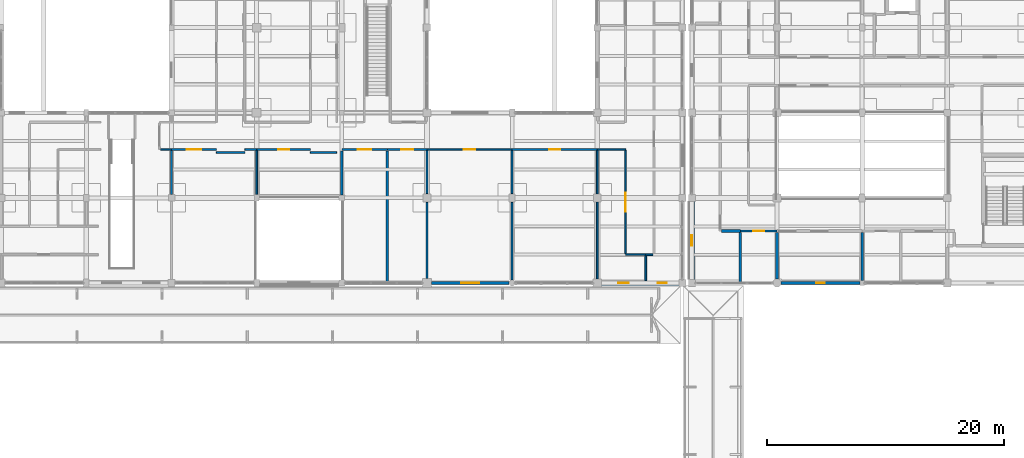
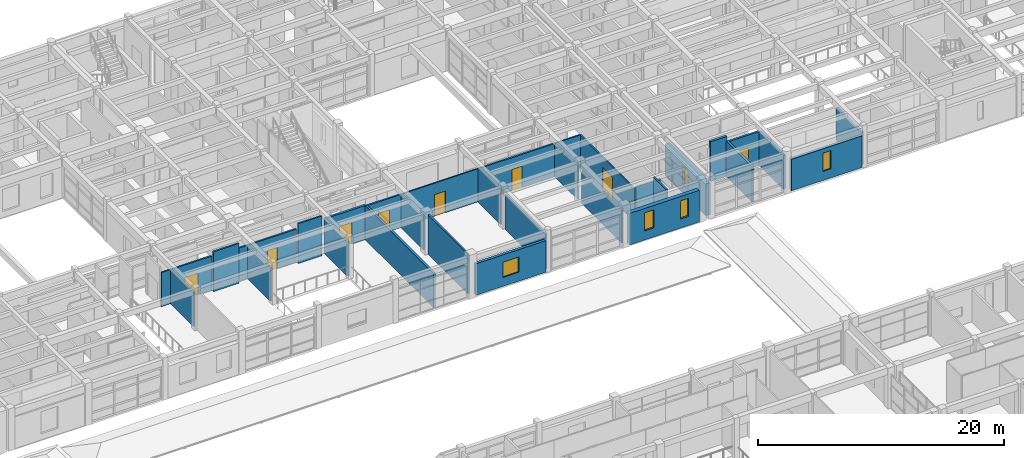
# One storey, part 81 of 110: 34 walls, 8 doors, 5 windows, 13 openings.
"""IFC4 building model written with IfcOpenShell, lengths in metres."""

from ifc_helpers import new_model, si_unit, direction, frame, frame_2d, origin, place, context, subcontext, project, spatial, rectangle, extrude, material, layer, layer_set, type_object, element, fill, save


model = new_model("IFC4")

# Units and contexts
model_context = context("Model", 3, precision=1e-05, world=origin(), true_north=direction((0.0, 1.0)))
body_context = subcontext(model_context, "Body", "Model", "MODEL_VIEW")
ifc_project = project(units=[si_unit("LENGTHUNIT", "METRE"), si_unit("AREAUNIT", "SQUARE_METRE"), si_unit("VOLUMEUNIT", "CUBIC_METRE"), si_unit("PLANEANGLEUNIT", "RADIAN"), si_unit("MASSUNIT", "GRAM", prefix="KILO")], contexts=[model_context])

# Site, building, storey
site_placement = place(None, origin())
site = spatial("IfcSite", under=ifc_project, at=site_placement, CompositionType="ELEMENT")
building_placement = place(site_placement, origin())
building = spatial("IfcBuilding", under=site, at=building_placement, Name="Steenspoor Specialist Clinic", CompositionType="ELEMENT")
storey_placement = place(building_placement, frame((0.0, 0.0, 4.800048828125)))
storey = spatial("IfcBuildingStorey", under=building, at=storey_placement, Name="L01", CompositionType="ELEMENT", Elevation=4.800048828125)

# Wall, openings, windows
ifc_material_1 = material(Name="Extruded clay brick masonry", Category="masonry")
ifc_layer_1 = layer(ifc_material_1, 0.3798828125)
ifc_layer_set_1 = layer_set([ifc_layer_1], Name="Extruded clay brick masonry")
wall_type_1 = type_object("IfcWallType", Name="W-BRICK-380", PredefinedType="USERDEFINED", material=ifc_layer_set_1)
wall_1_placement = place(storey_placement, frame((116.89990234375, 65.14990234375, 0.0), z_axis=(0.0, 0.0, 1.0), x_axis=(-1.0, 0.0, 0.0)))
wall_1 = element("IfcWall", 1, at=wall_1_placement, inside=storey, type_object=wall_type_1, Name="Exterior Brick Wall EW-V4-L01-0109", ObjectType="CAVITY VENEER", PredefinedType="USERDEFINED", context=body_context, shape_type="SweptSolid", body=[
    extrude(rectangle(XDim=6.5498046875, YDim=0.3798828125, at=frame_2d((3.27490234375, 0.0))), origin(), (0.0, 0.0, 1.0), 3.1298828125),
])
opening_1_placement = place(wall_1_placement, frame((1.014892578125, 0.0, 0.89990234375)))
opening_1 = element("IfcOpeningElement", 2, at=opening_1_placement, cuts=wall_1, Name="Opening WN-02", PredefinedType="OPENING", context=body_context, shape_type="SweptSolid", body=[
    extrude(rectangle(XDim=0.75, YDim=1.800048828125, at=frame_2d((0.375, 0.89990234375))), frame((0.0, 0.199951171875, 0.0), z_axis=(0.0, -1.0, 0.0), x_axis=(1.0, 0.0, 0.0)), (0.0, 0.0, 1.0), 0.39990234375),
])
opening_2_placement = place(wall_1_placement, frame((4.235107421875, 0.0, 0.89990234375)))
opening_2 = element("IfcOpeningElement", 3, at=opening_2_placement, cuts=wall_1, Name="Opening WN-03", PredefinedType="OPENING", context=body_context, shape_type="SweptSolid", body=[
    extrude(rectangle(XDim=0.89990234375, YDim=1.800048828125, at=frame_2d((0.449951171875, 0.89990234375))), frame((0.0, 0.199951171875, 0.0), z_axis=(0.0, -1.0, 0.0), x_axis=(1.0, 0.0, 0.0)), (0.0, 0.0, 1.0), 0.39990234375),
])
ifc_material_2 = material(Name="Thermally broken aluminium and low-emissivity glass", Category="aluminium")
window_type_1 = type_object("IfcWindowType", Name="WN-EXT-075X180", PartitioningType="SINGLE_PANEL", PredefinedType="WINDOW", material=ifc_material_2)
window_1_placement = place(opening_1_placement, origin())
window_1 = element("IfcWindow", 4, at=window_1_placement, inside=storey, type_object=window_type_1, Name="Window 0129", OverallHeight=1.800048828125, OverallWidth=0.75, PartitioningType="SINGLE_PANEL", PredefinedType="WINDOW", context=body_context, shape_type="SweptSolid", body=[
    extrude(rectangle(XDim=0.75, YDim=1.800048828125, at=frame_2d((0.375, 0.89990234375))), frame((0.0, 0.030029296875, 0.0), z_axis=(0.0, -1.0, 0.0), x_axis=(1.0, 0.0, 0.0)), (0.0, 0.0, 1.0), 0.06005859375),
])
fill(opening_1, window_1)
window_type_2 = type_object("IfcWindowType", Name="WN-EXT-090X180", PartitioningType="SINGLE_PANEL", PredefinedType="WINDOW", material=ifc_material_2)
window_2_placement = place(opening_2_placement, origin())
window_2 = element("IfcWindow", 5, at=window_2_placement, inside=storey, type_object=window_type_2, Name="Window 0130", OverallHeight=1.800048828125, OverallWidth=0.89990234375, PartitioningType="SINGLE_PANEL", PredefinedType="WINDOW", context=body_context, shape_type="SweptSolid", body=[
    extrude(rectangle(XDim=0.89990234375, YDim=1.800048828125, at=frame_2d((0.449951171875, 0.89990234375))), frame((0.0, 0.030029296875, 0.0), z_axis=(0.0, -1.0, 0.0), x_axis=(1.0, 0.0, 0.0)), (0.0, 0.0, 1.0), 0.06005859375),
])
fill(opening_2, window_2)

# Wall, opening, window
ifc_layer_2 = layer(ifc_material_1, 0.43994140625)
ifc_layer_set_2 = layer_set([ifc_layer_2], Name="Extruded clay brick masonry")
wall_type_2 = type_object("IfcWallType", Name="W-BRICK-440", PredefinedType="USERDEFINED", material=ifc_layer_set_2)
wall_2_placement = place(storey_placement, frame((118.0, 65.449951171875, 0.0), z_axis=(0.0, 0.0, 1.0), x_axis=(0.0, 1.0, 0.0)))
wall_2 = element("IfcWall", 6, at=wall_2_placement, inside=storey, type_object=wall_type_2, Name="Exterior Brick Wall EW-V6-L01-0315", ObjectType="CAVITY VENEER", PredefinedType="USERDEFINED", context=body_context, shape_type="SweptSolid", body=[
    extrude(rectangle(XDim=6.60009765625, YDim=0.43994140625, at=frame_2d((3.300048828125, 0.0))), origin(), (0.0, 0.0, 1.0), 3.1298828125),
])
opening_3_placement = place(wall_2_placement, frame((2.85009765625, 0.0, 0.89990234375)))
opening_3 = element("IfcOpeningElement", 7, at=opening_3_placement, cuts=wall_2, Name="Opening WN-03", PredefinedType="OPENING", context=body_context, shape_type="SweptSolid", body=[
    extrude(rectangle(XDim=0.89990234375, YDim=1.800048828125, at=frame_2d((0.449951171875, 0.89990234375))), frame((0.0, 0.22998046875, 0.0), z_axis=(0.0, -1.0, 0.0), x_axis=(1.0, 0.0, 0.0)), (0.0, 0.0, 1.0), 0.4599609375),
])
window_3_placement = place(opening_3_placement, origin())
window_3 = element("IfcWindow", 8, at=window_3_placement, inside=storey, type_object=window_type_2, Name="Window 0338", OverallHeight=1.800048828125, OverallWidth=0.89990234375, PartitioningType="SINGLE_PANEL", PredefinedType="WINDOW", context=body_context, shape_type="SweptSolid", body=[
    extrude(rectangle(XDim=0.89990234375, YDim=1.800048828125, at=frame_2d((0.449951171875, 0.89990234375))), frame((0.0, 0.030029296875, 0.0), z_axis=(0.0, -1.0, 0.0), x_axis=(1.0, 0.0, 0.0)), (0.0, 0.0, 1.0), 0.06005859375),
])
fill(opening_3, window_3)

# Wall, opening, door
ifc_material_3 = material(Name="Gypsum acoustic clinical partition", Category="gypsum")
ifc_layer_3 = layer(ifc_material_3, 0.14990234375)
ifc_layer_set_3 = layer_set([ifc_layer_3], Name="Gypsum acoustic clinical partition")
wall_type_3 = type_object("IfcWallType", Name="W-CLIN-150", PredefinedType="PARTITIONING", material=ifc_layer_set_3)
wall_3_placement = place(storey_placement, frame((74.0, 76.449951171875, 0.0), z_axis=(0.0, 0.0, 1.0), x_axis=(1.0, 0.0, 0.0)))
wall_3 = element("IfcWall", 9, at=wall_3_placement, inside=storey, type_object=wall_type_3, Name="Interior Partition IW-V4-L01-0883", PredefinedType="PARTITIONING", context=body_context, shape_type="SweptSolid", body=[
    extrude(rectangle(XDim=3.800048828125, YDim=0.14990234375, at=frame_2d((1.89990234375, 0.0))), origin(), (0.0, 0.0, 1.0), 3.385009765625),
])
opening_4_placement = place(wall_3_placement, frame((1.27490234375, 0.0, 0.0)))
opening_4 = element("IfcOpeningElement", 10, at=opening_4_placement, cuts=wall_3, Name="Opening D0194", PredefinedType="OPENING", context=body_context, shape_type="SweptSolid", body=[
    extrude(rectangle(XDim=1.25, YDim=2.14990234375, at=frame_2d((0.625, 1.074951171875))), frame((0.0, 0.0849609375, 0.0), z_axis=(0.0, -1.0, 0.0), x_axis=(1.0, 0.0, 0.0)), (0.0, 0.0, 1.0), 0.169921875),
])
ifc_material_4 = material(Name="Hygienic HPL clinical timber door", Category="wood")
door_type_1 = type_object("IfcDoorType", Name="DT-EXAM-125X215", OperationType="NOTDEFINED", PredefinedType="DOOR", material=ifc_material_4)
door_1_placement = place(opening_4_placement, origin())
door_1 = element("IfcDoor", 11, at=door_1_placement, inside=storey, type_object=door_type_1, Name="Clinical Door D0194", OperationType="SINGLE_SWING_LEFT", OverallHeight=2.14990234375, OverallWidth=1.25, PredefinedType="DOOR", context=body_context, shape_type="SweptSolid", body=[
    extrude(rectangle(XDim=1.25, YDim=2.14990234375, at=frame_2d((0.625, 1.074951171875))), frame((0.0, 0.02490234375, 0.0), z_axis=(0.0, -1.0, 0.0), x_axis=(1.0, 0.0, 0.0)), (0.0, 0.0, 1.0), 0.050048828125),
])
fill(opening_4, door_1)

# Walls
wall_4_placement = place(storey_placement, frame((77.800048828125, 76.199951171875, 0.0), z_axis=(0.0, 0.0, 1.0), x_axis=(1.0, 0.0, 0.0)))
element("IfcWall", 12, at=wall_4_placement, inside=storey, type_object=wall_type_3, Name="Interior Partition IW-V4-L01-0884", PredefinedType="PARTITIONING", context=body_context, shape_type="SweptSolid", body=[
    extrude(rectangle(XDim=2.39990234375, YDim=0.14990234375, at=frame_2d((1.199951171875, 0.0))), origin(), (0.0, 0.0, 1.0), 3.949951171875),
])
wall_5_placement = place(storey_placement, frame((80.199951171875, 76.449951171875, 0.0), z_axis=(0.0, 0.0, 1.0), x_axis=(1.0, 0.0, 0.0)))
element("IfcWall", 13, at=wall_5_placement, inside=storey, type_object=wall_type_3, Name="Interior Partition IW-V4-L01-0885", PredefinedType="PARTITIONING", context=body_context, shape_type="SweptSolid", body=[
    extrude(rectangle(XDim=1.0, YDim=0.14990234375, at=frame_2d((0.5, 0.0))), origin(), (0.0, 0.0, 1.0), 3.284912109375),
])

# Wall, opening, door
wall_6_placement = place(storey_placement, frame((92.264892578125, 76.449951171875, 0.0), z_axis=(0.0, 0.0, 1.0), x_axis=(1.0, 0.0, 0.0)))
wall_6 = element("IfcWall", 14, at=wall_6_placement, inside=storey, type_object=wall_type_3, Name="Interior Partition IW-V4-L01-0886", PredefinedType="PARTITIONING", context=body_context, shape_type="SweptSolid", body=[
    extrude(rectangle(XDim=3.335205078125, YDim=0.14990234375, at=frame_2d((1.66748046875, 0.0))), origin(), (0.0, 0.0, 1.0), 3.284912109375),
])
opening_5_placement = place(wall_6_placement, frame((1.142578125, 0.0, 0.0)))
opening_5 = element("IfcOpeningElement", 15, at=opening_5_placement, cuts=wall_6, Name="Opening D0196", PredefinedType="OPENING", context=body_context, shape_type="SweptSolid", body=[
    extrude(rectangle(XDim=1.050048828125, YDim=2.14990234375, at=frame_2d((0.52490234375, 1.074951171875))), frame((0.0, 0.0849609375, 0.0), z_axis=(0.0, -1.0, 0.0), x_axis=(1.0, 0.0, 0.0)), (0.0, 0.0, 1.0), 0.169921875),
])
ifc_material_5 = material(Name="Solid-core hardwood office door", Category="wood")
door_type_2 = type_object("IfcDoorType", Name="DT-OFF-105X215", OperationType="NOTDEFINED", PredefinedType="DOOR", material=ifc_material_5)
door_2_placement = place(opening_5_placement, origin())
door_2 = element("IfcDoor", 16, at=door_2_placement, inside=storey, type_object=door_type_2, Name="Clinical Door D0196", OperationType="SINGLE_SWING_LEFT", OverallHeight=2.14990234375, OverallWidth=1.050048828125, PredefinedType="DOOR", context=body_context, shape_type="SweptSolid", body=[
    extrude(rectangle(XDim=1.050048828125, YDim=2.14990234375, at=frame_2d((0.52490234375, 1.074951171875))), frame((0.0, 0.02490234375, 0.0), z_axis=(0.0, -1.0, 0.0), x_axis=(1.0, 0.0, 0.0)), (0.0, 0.0, 1.0), 0.050048828125),
])
fill(opening_5, door_2)

wall_7_placement = place(storey_placement, frame((102.800048828125, 76.449951171875, 0.0), z_axis=(0.0, 0.0, 1.0), x_axis=(1.0, 0.0, 0.0)))
wall_7 = element("IfcWall", 17, at=wall_7_placement, inside=storey, type_object=wall_type_3, Name="Interior Partition IW-V4-L01-0887", PredefinedType="PARTITIONING", context=body_context, shape_type="SweptSolid", body=[
    extrude(rectangle(XDim=7.199951171875, YDim=0.14990234375, at=frame_2d((3.60009765625, 0.0))), origin(), (0.0, 0.0, 1.0), 3.284912109375),
])
opening_6_placement = place(wall_7_placement, frame((3.125, 0.0, 0.0)))
opening_6 = element("IfcOpeningElement", 18, at=opening_6_placement, cuts=wall_7, Name="Opening D0198", PredefinedType="OPENING", context=body_context, shape_type="SweptSolid", body=[
    extrude(rectangle(XDim=0.949951171875, YDim=2.10009765625, at=frame_2d((0.47509765625, 1.050048828125))), frame((0.0, 0.0849609375, 0.0), z_axis=(0.0, -1.0, 0.0), x_axis=(1.0, 0.0, 0.0)), (0.0, 0.0, 1.0), 0.169921875),
])
ifc_material_6 = material(Name="Moisture-resistant HPL sanitary door", Category="wood")
door_type_3 = type_object("IfcDoorType", Name="DT-WC-095X210", OperationType="NOTDEFINED", PredefinedType="DOOR", material=ifc_material_6)
door_3_placement = place(opening_6_placement, origin())
door_3 = element("IfcDoor", 19, at=door_3_placement, inside=storey, type_object=door_type_3, Name="Clinical Door D0198", OperationType="SINGLE_SWING_LEFT", OverallHeight=2.10009765625, OverallWidth=0.949951171875, PredefinedType="DOOR", context=body_context, shape_type="SweptSolid", body=[
    extrude(rectangle(XDim=0.949951171875, YDim=2.10009765625, at=frame_2d((0.47509765625, 1.050048828125))), frame((0.0, 0.02490234375, 0.0), z_axis=(0.0, -1.0, 0.0), x_axis=(1.0, 0.0, 0.0)), (0.0, 0.0, 1.0), 0.050048828125),
])
fill(opening_6, door_3)

# Wall
wall_8_placement = place(storey_placement, frame((114.10009765625, 67.550048828125, 0.0), z_axis=(0.0, 0.0, 1.0), x_axis=(1.0, 0.0, 0.0)))
element("IfcWall", 20, at=wall_8_placement, inside=storey, type_object=wall_type_3, Name="Interior Partition IW-V4-L01-0889", PredefinedType="PARTITIONING", context=body_context, shape_type="SweptSolid", body=[
    extrude(rectangle(XDim=0.60986328125, YDim=0.14990234375, at=frame_2d((0.304931640625, 0.0))), origin(), (0.0, 0.0, 1.0), 3.514892578125),
])

# Wall, opening, door
wall_9_placement = place(storey_placement, frame((81.215087890625, 76.449951171875, 0.0), z_axis=(0.0, 0.0, 1.0), x_axis=(1.0, 0.0, 0.0)))
wall_9 = element("IfcWall", 21, at=wall_9_placement, inside=storey, type_object=wall_type_3, Name="Interior Partition IW-V4-L01-0890", PredefinedType="PARTITIONING", context=body_context, shape_type="SweptSolid", body=[
    extrude(rectangle(XDim=4.534912109375, YDim=0.14990234375, at=frame_2d((2.267578125, 0.0))), origin(), (0.0, 0.0, 1.0), 3.284912109375),
])
opening_7_placement = place(wall_9_placement, frame((1.79248046875, 0.0, 0.0)))
opening_7 = element("IfcOpeningElement", 22, at=opening_7_placement, cuts=wall_9, Name="Opening D0204", PredefinedType="OPENING", context=body_context, shape_type="SweptSolid", body=[
    extrude(rectangle(XDim=0.949951171875, YDim=2.10009765625, at=frame_2d((0.47509765625, 1.050048828125))), frame((0.0, 0.0849609375, 0.0), z_axis=(0.0, -1.0, 0.0), x_axis=(1.0, 0.0, 0.0)), (0.0, 0.0, 1.0), 0.169921875),
])
door_4_placement = place(opening_7_placement, origin())
door_4 = element("IfcDoor", 23, at=door_4_placement, inside=storey, type_object=door_type_3, Name="Clinical Door D0204", OperationType="SINGLE_SWING_LEFT", OverallHeight=2.10009765625, OverallWidth=0.949951171875, PredefinedType="DOOR", context=body_context, shape_type="SweptSolid", body=[
    extrude(rectangle(XDim=0.949951171875, YDim=2.10009765625, at=frame_2d((0.47509765625, 1.050048828125))), frame((0.0, 0.02490234375, 0.0), z_axis=(0.0, -1.0, 0.0), x_axis=(1.0, 0.0, 0.0)), (0.0, 0.0, 1.0), 0.050048828125),
])
fill(opening_7, door_4)

# Walls
wall_10_placement = place(storey_placement, frame((85.75, 76.199951171875, 0.0), z_axis=(0.0, 0.0, 1.0), x_axis=(1.0, 0.0, 0.0)))
element("IfcWall", 24, at=wall_10_placement, inside=storey, type_object=wall_type_3, Name="Interior Partition IW-V4-L01-0891", PredefinedType="PARTITIONING", context=body_context, shape_type="SweptSolid", body=[
    extrude(rectangle(XDim=2.219970703125, YDim=0.14990234375, at=frame_2d((1.10986328125, 0.0))), origin(), (0.0, 0.0, 1.0), 3.949951171875),
])
wall_11_placement = place(storey_placement, frame((74.0, 72.639892578125, 0.0), z_axis=(0.0, 0.0, 1.0), x_axis=(0.0, 1.0, 0.0)))
element("IfcWall", 25, at=wall_11_placement, inside=storey, type_object=wall_type_3, Name="Interior Partition IW-V4-L01-1184", PredefinedType="PARTITIONING", context=body_context, shape_type="SweptSolid", body=[
    extrude(rectangle(XDim=3.72021484375, YDim=0.14990234375, at=frame_2d((1.860107421875, 0.0))), origin(), (0.0, 0.0, 1.0), 3.385009765625),
])
wall_12_placement = place(storey_placement, frame((81.199951171875, 72.639892578125, 0.0), z_axis=(0.0, 0.0, 1.0), x_axis=(0.0, 1.0, 0.0)))
element("IfcWall", 26, at=wall_12_placement, inside=storey, type_object=wall_type_3, Name="Interior Partition IW-V4-L01-1185", PredefinedType="PARTITIONING", context=body_context, shape_type="SweptSolid", body=[
    extrude(rectangle(XDim=3.72021484375, YDim=0.14990234375, at=frame_2d((1.860107421875, 0.0))), origin(), (0.0, 0.0, 1.0), 3.284912109375),
])
wall_13_placement = place(storey_placement, frame((95.60009765625, 65.5400390625, 0.0), z_axis=(0.0, 0.0, 1.0), x_axis=(0.0, 1.0, 0.0)))
element("IfcWall", 27, at=wall_13_placement, inside=storey, type_object=wall_type_3, Name="Interior Partition IW-V4-L01-1186", PredefinedType="PARTITIONING", context=body_context, shape_type="SweptSolid", body=[
    extrude(rectangle(XDim=6.445068359375, YDim=0.14990234375, at=frame_2d((3.22265625, 0.0))), origin(), (0.0, 0.0, 1.0), 3.949951171875),
])
wall_14_placement = place(storey_placement, frame((95.60009765625, 72.715087890625, 0.0), z_axis=(0.0, 0.0, 1.0), x_axis=(0.0, 1.0, 0.0)))
element("IfcWall", 28, at=wall_14_placement, inside=storey, type_object=wall_type_3, Name="Interior Partition IW-V4-L01-1187", PredefinedType="PARTITIONING", context=body_context, shape_type="SweptSolid", body=[
    extrude(rectangle(XDim=3.64501953125, YDim=0.14990234375, at=frame_2d((1.822509765625, 0.0))), origin(), (0.0, 0.0, 1.0), 3.284912109375),
])
wall_15_placement = place(storey_placement, frame((102.800048828125, 65.4150390625, 0.0), z_axis=(0.0, 0.0, 1.0), x_axis=(0.0, 1.0, 0.0)))
element("IfcWall", 29, at=wall_15_placement, inside=storey, type_object=wall_type_3, Name="Interior Partition IW-V4-L01-1188", PredefinedType="PARTITIONING", context=body_context, shape_type="SweptSolid", body=[
    extrude(rectangle(XDim=6.570068359375, YDim=0.14990234375, at=frame_2d((3.28515625, 0.0))), origin(), (0.0, 0.0, 1.0), 3.4150390625),
])
wall_16_placement = place(storey_placement, frame((102.800048828125, 72.715087890625, 0.0), z_axis=(0.0, 0.0, 1.0), x_axis=(0.0, 1.0, 0.0)))
element("IfcWall", 30, at=wall_16_placement, inside=storey, type_object=wall_type_3, Name="Interior Partition IW-V4-L01-1189", PredefinedType="PARTITIONING", context=body_context, shape_type="SweptSolid", body=[
    extrude(rectangle(XDim=3.64501953125, YDim=0.14990234375, at=frame_2d((1.822509765625, 0.0))), origin(), (0.0, 0.0, 1.0), 3.454833984375),
])
wall_17_placement = place(storey_placement, frame((110.0, 65.514892578125, 0.0), z_axis=(0.0, 0.0, 1.0), x_axis=(0.0, 1.0, 0.0)))
element("IfcWall", 31, at=wall_17_placement, inside=storey, type_object=wall_type_3, Name="Interior Partition IW-V4-L01-1190", PredefinedType="PARTITIONING", context=body_context, shape_type="SweptSolid", body=[
    extrude(rectangle(XDim=6.4951171875, YDim=0.14990234375, at=frame_2d((3.24755859375, 0.0))), origin(), (0.0, 0.0, 1.0), 3.21484375),
])
wall_18_placement = place(storey_placement, frame((110.0, 72.68994140625, 0.0), z_axis=(0.0, 0.0, 1.0), x_axis=(0.0, 1.0, 0.0)))
element("IfcWall", 32, at=wall_18_placement, inside=storey, type_object=wall_type_3, Name="Interior Partition IW-V4-L01-1191", PredefinedType="PARTITIONING", context=body_context, shape_type="SweptSolid", body=[
    extrude(rectangle(XDim=3.670166015625, YDim=0.14990234375, at=frame_2d((1.8349609375, 0.0))), origin(), (0.0, 0.0, 1.0), 3.284912109375),
])
wall_19_placement = place(storey_placement, frame((114.10009765625, 65.35498046875, 0.0), z_axis=(0.0, 0.0, 1.0), x_axis=(0.0, 1.0, 0.0)))
element("IfcWall", 33, at=wall_19_placement, inside=storey, type_object=wall_type_3, Name="Interior Partition IW-V4-L01-1192", PredefinedType="PARTITIONING", context=body_context, shape_type="SweptSolid", body=[
    extrude(rectangle(XDim=2.10498046875, YDim=0.14990234375, at=frame_2d((1.052490234375, 0.0))), origin(), (0.0, 0.0, 1.0), 3.949951171875),
])
ifc_material_7 = material(Name="Fire-rated clay blockwork masonry", Category="masonry")
ifc_layer_4 = layer(ifc_material_7, 0.219970703125)
ifc_layer_set_4 = layer_set([ifc_layer_4], Name="Fire-rated clay blockwork masonry")
wall_type_4 = type_object("IfcWallType", Name="W-FIRE-220", PredefinedType="PARTITIONING", material=ifc_layer_set_4)
wall_20_placement = place(storey_placement, frame((120.52490234375, 69.550048828125, 0.0), z_axis=(0.0, 0.0, 1.0), x_axis=(1.0, 0.0, 0.0)))
element("IfcWall", 34, at=wall_20_placement, inside=storey, type_object=wall_type_4, Name="Interior Partition IW-V6-L01-0699", PredefinedType="PARTITIONING", context=body_context, shape_type="SweptSolid", body=[
    extrude(rectangle(XDim=1.5751953125, YDim=0.219970703125, at=frame_2d((0.78759765625, 0.0))), origin(), (0.0, 0.0, 1.0), 3.949951171875),
])
wall_21_placement = place(storey_placement, frame((122.10009765625, 65.2548828125, 0.0), z_axis=(0.0, 0.0, 1.0), x_axis=(0.0, 1.0, 0.0)))
element("IfcWall", 35, at=wall_21_placement, inside=storey, type_object=wall_type_4, Name="Interior Partition IW-V6-L01-1037", PredefinedType="PARTITIONING", context=body_context, shape_type="SweptSolid", body=[
    extrude(rectangle(XDim=4.170166015625, YDim=0.219970703125, at=frame_2d((2.0849609375, 0.0))), origin(), (0.0, 0.0, 1.0), 3.514892578125),
])
wall_22_placement = place(storey_placement, frame((125.199951171875, 65.514892578125, 0.0), z_axis=(0.0, 0.0, 1.0), x_axis=(0.0, 1.0, 0.0)))
element("IfcWall", 36, at=wall_22_placement, inside=storey, type_object=wall_type_4, Name="Interior Partition IW-V6-L01-1039", PredefinedType="PARTITIONING", context=body_context, shape_type="SweptSolid", body=[
    extrude(rectangle(XDim=3.91015625, YDim=0.219970703125, at=frame_2d((1.955078125, 0.0))), origin(), (0.0, 0.0, 1.0), 3.35498046875),
])
wall_23_placement = place(storey_placement, frame((132.39990234375, 65.364990234375, 0.0), z_axis=(0.0, 0.0, 1.0), x_axis=(0.0, 1.0, 0.0)))
element("IfcWall", 37, at=wall_23_placement, inside=storey, type_object=wall_type_4, Name="Interior Partition IW-V6-L01-1040", PredefinedType="PARTITIONING", context=body_context, shape_type="SweptSolid", body=[
    extrude(rectangle(XDim=4.06005859375, YDim=0.219970703125, at=frame_2d((2.030029296875, 0.0))), origin(), (0.0, 0.0, 1.0), 3.23486328125),
])
ifc_material_8 = material(Name="Gypsum studio partition board", Category="gypsum")
ifc_layer_5 = layer(ifc_material_8, 0.1201171875)
ifc_layer_set_5 = layer_set([ifc_layer_5], Name="Gypsum studio partition board")
wall_type_5 = type_object("IfcWallType", Name="W-PART-120", PredefinedType="PARTITIONING", material=ifc_layer_set_5)
wall_24_placement = place(storey_placement, frame((73.074951171875, 76.449951171875, 0.0), z_axis=(0.0, 0.0, 1.0), x_axis=(1.0, 0.0, 0.0)))
element("IfcWall", 38, at=wall_24_placement, inside=storey, type_object=wall_type_5, Name="Interior Partition IW-V4-L01-0979", PredefinedType="PARTITIONING", context=body_context, shape_type="SweptSolid", body=[
    extrude(rectangle(XDim=0.91015625, YDim=0.1201171875, at=frame_2d((0.455078125, 0.0))), origin(), (0.0, 0.0, 1.0), 3.385009765625),
])

# Wall, opening, door
wall_25_placement = place(storey_placement, frame((95.614990234375, 76.449951171875, 0.0), z_axis=(0.0, 0.0, 1.0), x_axis=(1.0, 0.0, 0.0)))
wall_25 = element("IfcWall", 39, at=wall_25_placement, inside=storey, type_object=wall_type_5, Name="Interior Partition IW-V4-L01-0980", PredefinedType="PARTITIONING", context=body_context, shape_type="SweptSolid", body=[
    extrude(rectangle(XDim=7.169921875, YDim=0.1201171875, at=frame_2d((3.5849609375, 0.0))), origin(), (0.0, 0.0, 1.0), 3.284912109375),
])
opening_8_placement = place(wall_25_placement, frame((3.0849609375, 0.0, 0.0)))
opening_8 = element("IfcOpeningElement", 40, at=opening_8_placement, cuts=wall_25, Name="Opening D0197", PredefinedType="OPENING", context=body_context, shape_type="SweptSolid", body=[
    extrude(rectangle(XDim=1.0, YDim=2.14990234375, at=frame_2d((0.5, 1.074951171875))), frame((0.0, 0.070068359375, 0.0), z_axis=(0.0, -1.0, 0.0), x_axis=(1.0, 0.0, 0.0)), (0.0, 0.0, 1.0), 0.14013671875),
])
ifc_material_9 = material(Name="Moisture-resistant HPL accessible WC door", Category="wood")
door_type_4 = type_object("IfcDoorType", Name="DT-AWC-100X215", OperationType="NOTDEFINED", PredefinedType="DOOR", material=ifc_material_9)
door_5_placement = place(opening_8_placement, origin())
door_5 = element("IfcDoor", 41, at=door_5_placement, inside=storey, type_object=door_type_4, Name="Clinical Door D0197", OperationType="SINGLE_SWING_RIGHT", OverallHeight=2.14990234375, OverallWidth=1.0, PredefinedType="DOOR", context=body_context, shape_type="SweptSolid", body=[
    extrude(rectangle(XDim=1.0, YDim=2.14990234375, at=frame_2d((0.5, 1.074951171875))), frame((0.0, 0.02490234375, 0.0), z_axis=(0.0, -1.0, 0.0), x_axis=(1.0, 0.0, 0.0)), (0.0, 0.0, 1.0), 0.050048828125),
])
fill(opening_8, door_5)

# Walls
wall_26_placement = place(storey_placement, frame((112.39990234375, 67.550048828125, 0.0), z_axis=(0.0, 0.0, 1.0), x_axis=(1.0, 0.0, 0.0)))
element("IfcWall", 42, at=wall_26_placement, inside=storey, type_object=wall_type_5, Name="Interior Partition IW-V4-L01-0981", PredefinedType="PARTITIONING", context=body_context, shape_type="SweptSolid", body=[
    extrude(rectangle(XDim=1.68505859375, YDim=0.1201171875, at=frame_2d((0.842529296875, 0.0))), origin(), (0.0, 0.0, 1.0), 3.514892578125),
])
wall_27_placement = place(storey_placement, frame((110.014892578125, 76.449951171875, 0.0), z_axis=(0.0, 0.0, 1.0), x_axis=(1.0, 0.0, 0.0)))
element("IfcWall", 43, at=wall_27_placement, inside=storey, type_object=wall_type_5, Name="Interior Partition IW-V4-L01-0982", PredefinedType="PARTITIONING", context=body_context, shape_type="SweptSolid", body=[
    extrude(rectangle(XDim=2.385009765625, YDim=0.1201171875, at=frame_2d((1.1923828125, 0.0))), origin(), (0.0, 0.0, 1.0), 3.284912109375),
])

# Wall, opening, door
wall_28_placement = place(storey_placement, frame((112.39990234375, 67.625, 0.0), z_axis=(0.0, 0.0, 1.0), x_axis=(0.0, 1.0, 0.0)))
wall_28 = element("IfcWall", 44, at=wall_28_placement, inside=storey, type_object=wall_type_5, Name="Interior Partition IW-V4-L01-0983", PredefinedType="PARTITIONING", context=body_context, shape_type="SweptSolid", body=[
    extrude(rectangle(XDim=8.75, YDim=0.1201171875, at=frame_2d((4.375, 0.0))), origin(), (0.0, 0.0, 1.0), 3.284912109375),
])
opening_9_placement = place(wall_28_placement, frame((3.574951171875, 0.0, 0.0)))
opening_9 = element("IfcOpeningElement", 45, at=opening_9_placement, cuts=wall_28, Name="Opening D0199", PredefinedType="OPENING", context=body_context, shape_type="SweptSolid", body=[
    extrude(rectangle(XDim=1.60009765625, YDim=2.25, at=frame_2d((0.800048828125, 1.125))), frame((0.0, 0.070068359375, 0.0), z_axis=(0.0, -1.0, 0.0), x_axis=(1.0, 0.0, 0.0)), (0.0, 0.0, 1.0), 0.14013671875),
])
door_type_5 = type_object("IfcDoorType", Name="DT-PROC-160X225", OperationType="NOTDEFINED", PredefinedType="DOOR", material=ifc_material_4)
door_6_placement = place(opening_9_placement, origin())
door_6 = element("IfcDoor", 46, at=door_6_placement, inside=storey, type_object=door_type_5, Name="Clinical Door D0199", OperationType="SINGLE_SWING_RIGHT", OverallHeight=2.25, OverallWidth=1.60009765625, PredefinedType="DOOR", context=body_context, shape_type="SweptSolid", body=[
    extrude(rectangle(XDim=1.60009765625, YDim=2.25, at=frame_2d((0.800048828125, 1.125))), frame((0.0, 0.02490234375, 0.0), z_axis=(0.0, -1.0, 0.0), x_axis=(1.0, 0.0, 0.0)), (0.0, 0.0, 1.0), 0.050048828125),
])
fill(opening_9, door_6)

ifc_material_10 = material(Name="Moisture-resistant gypsum plumbing wall", Category="gypsum")
ifc_layer_6 = layer(ifc_material_10, 0.179931640625)
ifc_layer_set_6 = layer_set([ifc_layer_6], Name="Moisture-resistant gypsum plumbing wall")
wall_type_6 = type_object("IfcWallType", Name="W-PLUMB-180", PredefinedType="PLUMBINGWALL", material=ifc_layer_set_6)
wall_29_placement = place(storey_placement, frame((122.114990234375, 69.550048828125, 0.0), z_axis=(0.0, 0.0, 1.0), x_axis=(1.0, 0.0, 0.0)))
wall_29 = element("IfcWall", 47, at=wall_29_placement, inside=storey, type_object=wall_type_6, Name="Interior Partition IW-V6-L01-0784", PredefinedType="PLUMBINGWALL", context=body_context, shape_type="SweptSolid", body=[
    extrude(rectangle(XDim=3.070068359375, YDim=0.179931640625, at=frame_2d((1.53515625, 0.0))), origin(), (0.0, 0.0, 1.0), 3.35498046875),
])
opening_10_placement = place(wall_29_placement, frame((1.06005859375, 0.0, 0.0)))
opening_10 = element("IfcOpeningElement", 48, at=opening_10_placement, cuts=wall_29, Name="Opening D0428", PredefinedType="OPENING", context=body_context, shape_type="SweptSolid", body=[
    extrude(rectangle(XDim=0.949951171875, YDim=2.10009765625, at=frame_2d((0.47509765625, 1.050048828125))), frame((0.0, 0.10009765625, 0.0), z_axis=(0.0, -1.0, 0.0), x_axis=(1.0, 0.0, 0.0)), (0.0, 0.0, 1.0), 0.199951171875),
])
door_7_placement = place(opening_10_placement, origin())
door_7 = element("IfcDoor", 49, at=door_7_placement, inside=storey, type_object=door_type_3, Name="Clinical Door D0428", OperationType="SINGLE_SWING_LEFT", OverallHeight=2.10009765625, OverallWidth=0.949951171875, PredefinedType="DOOR", context=body_context, shape_type="SweptSolid", body=[
    extrude(rectangle(XDim=0.949951171875, YDim=2.10009765625, at=frame_2d((0.47509765625, 1.050048828125))), frame((0.0, 0.02490234375, 0.0), z_axis=(0.0, -1.0, 0.0), x_axis=(1.0, 0.0, 0.0)), (0.0, 0.0, 1.0), 0.050048828125),
])
fill(opening_10, door_7)

# Wall, opening, window
ifc_layer_7 = layer(ifc_material_1, 0.260009765625)
ifc_layer_set_7 = layer_set([ifc_layer_7], Name="Extruded clay brick masonry")
wall_type_7 = type_object("IfcWallType", Name="W-SCREEN-260", PredefinedType="SOLIDWALL", material=ifc_layer_set_7)
wall_30_placement = place(storey_placement, frame((102.550048828125, 65.14990234375, 0.0), z_axis=(0.0, 0.0, 1.0), x_axis=(-1.0, 0.0, 0.0)))
wall_30 = element("IfcWall", 50, at=wall_30_placement, inside=storey, type_object=wall_type_7, Name="Exterior Brick Wall EW-V4-L01-0110", PredefinedType="SOLIDWALL", context=body_context, shape_type="SweptSolid", body=[
    extrude(rectangle(XDim=6.574951171875, YDim=0.260009765625, at=frame_2d((3.28759765625, 0.0))), origin(), (0.0, 0.0, 1.0), 3.1298828125),
])
opening_11_placement = place(wall_30_placement, frame((2.53759765625, 0.0, 0.89990234375)))
opening_11 = element("IfcOpeningElement", 51, at=opening_11_placement, cuts=wall_30, Name="Opening WN-12", PredefinedType="OPENING", context=body_context, shape_type="SweptSolid", body=[
    extrude(rectangle(XDim=1.5, YDim=1.5, at=frame_2d((0.75, 0.75))), frame((0.0, 0.14013671875, 0.0), z_axis=(0.0, -1.0, 0.0), x_axis=(1.0, 0.0, 0.0)), (0.0, 0.0, 1.0), 0.280029296875),
])
window_type_3 = type_object("IfcWindowType", Name="WN-EXT-150X150", PartitioningType="SINGLE_PANEL", PredefinedType="WINDOW", material=ifc_material_2)
window_4_placement = place(opening_11_placement, origin())
window_4 = element("IfcWindow", 52, at=window_4_placement, inside=storey, type_object=window_type_3, Name="Window 0131", OverallHeight=1.5, OverallWidth=1.5, PartitioningType="SINGLE_PANEL", PredefinedType="WINDOW", context=body_context, shape_type="SweptSolid", body=[
    extrude(rectangle(XDim=1.5, YDim=1.5, at=frame_2d((0.75, 0.75))), frame((0.0, 0.030029296875, 0.0), z_axis=(0.0, -1.0, 0.0), x_axis=(1.0, 0.0, 0.0)), (0.0, 0.0, 1.0), 0.06005859375),
])
fill(opening_11, window_4)

wall_31_placement = place(storey_placement, frame((132.199951171875, 65.14990234375, 0.0), z_axis=(0.0, 0.0, 1.0), x_axis=(-1.0, 0.0, 0.0)))
wall_31 = element("IfcWall", 53, at=wall_31_placement, inside=storey, type_object=wall_type_7, Name="Exterior Brick Wall EW-V6-L01-0314", PredefinedType="SOLIDWALL", context=body_context, shape_type="SweptSolid", body=[
    extrude(rectangle(XDim=6.64990234375, YDim=0.260009765625, at=frame_2d((3.324951171875, 0.0))), origin(), (0.0, 0.0, 1.0), 3.1298828125),
])
opening_12_placement = place(wall_31_placement, frame((2.949951171875, 0.0, 0.89990234375)))
opening_12 = element("IfcOpeningElement", 54, at=opening_12_placement, cuts=wall_31, Name="Opening WN-02", PredefinedType="OPENING", context=body_context, shape_type="SweptSolid", body=[
    extrude(rectangle(XDim=0.75, YDim=1.800048828125, at=frame_2d((0.375, 0.89990234375))), frame((0.0, 0.14013671875, 0.0), z_axis=(0.0, -1.0, 0.0), x_axis=(1.0, 0.0, 0.0)), (0.0, 0.0, 1.0), 0.280029296875),
])
window_5_placement = place(opening_12_placement, origin())
window_5 = element("IfcWindow", 55, at=window_5_placement, inside=storey, type_object=window_type_1, Name="Window 0337", OverallHeight=1.800048828125, OverallWidth=0.75, PartitioningType="SINGLE_PANEL", PredefinedType="WINDOW", context=body_context, shape_type="SweptSolid", body=[
    extrude(rectangle(XDim=0.75, YDim=1.800048828125, at=frame_2d((0.375, 0.89990234375))), frame((0.0, 0.030029296875, 0.0), z_axis=(0.0, -1.0, 0.0), x_axis=(1.0, 0.0, 0.0)), (0.0, 0.0, 1.0), 0.06005859375),
])
fill(opening_12, window_5)

# Wall, opening, door
ifc_material_11 = material(Name="Gypsum acoustic smoke barrier board", Category="gypsum")
ifc_layer_8 = layer(ifc_material_11, 0.199951171875)
ifc_layer_set_8 = layer_set([ifc_layer_8], Name="Gypsum acoustic smoke barrier board")
wall_type_8 = type_object("IfcWallType", Name="W-SMOKE-200", PredefinedType="PARTITIONING", material=ifc_layer_set_8)
wall_32_placement = place(storey_placement, frame((88.39990234375, 76.449951171875, 0.0), z_axis=(0.0, 0.0, 1.0), x_axis=(1.0, 0.0, 0.0)))
wall_32 = element("IfcWall", 56, at=wall_32_placement, inside=storey, type_object=wall_type_8, Name="Interior Partition IW-V4-L01-0795", PredefinedType="PARTITIONING", context=body_context, shape_type="SweptSolid", body=[
    extrude(rectangle(XDim=3.85009765625, YDim=0.199951171875, at=frame_2d((1.925048828125, 0.0))), origin(), (0.0, 0.0, 1.0), 3.385009765625),
])
opening_13_placement = place(wall_32_placement, frame((1.35009765625, 0.0, 0.0)))
opening_13 = element("IfcOpeningElement", 57, at=opening_13_placement, cuts=wall_32, Name="Opening D0195", PredefinedType="OPENING", context=body_context, shape_type="SweptSolid", body=[
    extrude(rectangle(XDim=1.14990234375, YDim=2.14990234375, at=frame_2d((0.574951171875, 1.074951171875))), frame((0.0, 0.10986328125, 0.0), z_axis=(0.0, -1.0, 0.0), x_axis=(1.0, 0.0, 0.0)), (0.0, 0.0, 1.0), 0.219970703125),
])
ifc_material_12 = material(Name="Solid-core hardwood clinical door", Category="wood")
door_type_6 = type_object("IfcDoorType", Name="DT-CONS-115X215", OperationType="NOTDEFINED", PredefinedType="DOOR", material=ifc_material_12)
door_8_placement = place(opening_13_placement, origin())
door_8 = element("IfcDoor", 58, at=door_8_placement, inside=storey, type_object=door_type_6, Name="Clinical Door D0195", OperationType="SINGLE_SWING_RIGHT", OverallHeight=2.14990234375, OverallWidth=1.14990234375, PredefinedType="DOOR", context=body_context, shape_type="SweptSolid", body=[
    extrude(rectangle(XDim=1.14990234375, YDim=2.14990234375, at=frame_2d((0.574951171875, 1.074951171875))), frame((0.0, 0.02490234375, 0.0), z_axis=(0.0, -1.0, 0.0), x_axis=(1.0, 0.0, 0.0)), (0.0, 0.0, 1.0), 0.050048828125),
])
fill(opening_13, door_8)

# Walls
wall_33_placement = place(storey_placement, frame((92.25, 65.2548828125, 0.0), z_axis=(0.0, 0.0, 1.0), x_axis=(0.0, 1.0, 0.0)))
element("IfcWall", 59, at=wall_33_placement, inside=storey, type_object=wall_type_8, Name="Interior Partition IW-V4-L01-1127", PredefinedType="PARTITIONING", context=body_context, shape_type="SweptSolid", body=[
    extrude(rectangle(XDim=11.080078125, YDim=0.199951171875, at=frame_2d((5.5400390625, 0.0))), origin(), (0.0, 0.0, 1.0), 3.385009765625),
])
wall_34_placement = place(storey_placement, frame((88.39990234375, 72.590087890625, 0.0), z_axis=(0.0, 0.0, 1.0), x_axis=(0.0, 1.0, 0.0)))
element("IfcWall", 60, at=wall_34_placement, inside=storey, type_object=wall_type_8, Name="Interior Partition IW-V4-L01-1128", PredefinedType="PARTITIONING", context=body_context, shape_type="SweptSolid", body=[
    extrude(rectangle(XDim=3.744873046875, YDim=0.199951171875, at=frame_2d((1.87255859375, 0.0))), origin(), (0.0, 0.0, 1.0), 3.385009765625),
])

save(model, "model.ifc")
